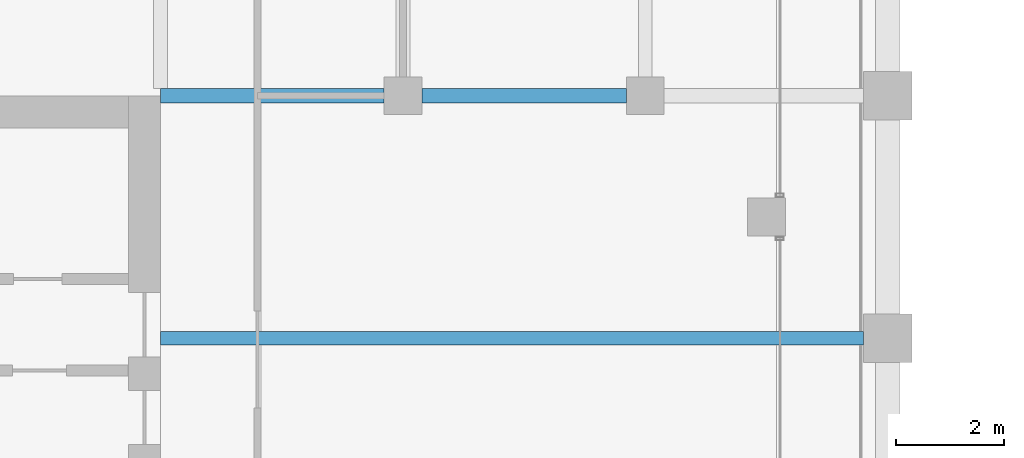
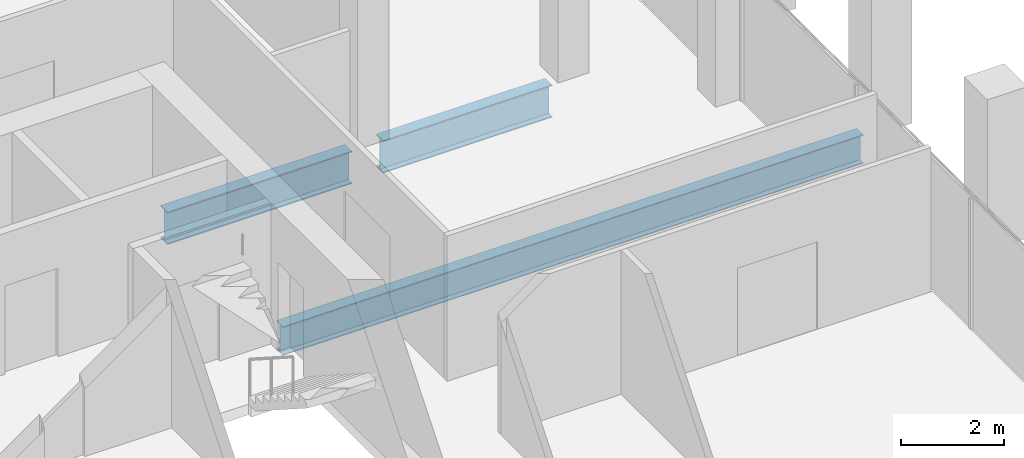
# One storey, part 18 of 40: 3 beams.
"""IFC4 building model written with IfcOpenShell, lengths in metres."""

from ifc_helpers import new_model, si_unit, direction, frame, origin, origin_2d, place, context, subcontext, project, spatial, i_section, extrude, material, material_profile, profile_set, type_object, element, save


model = new_model("IFC4")

# Units and contexts
model_context = context("Model", 3, precision=1e-05, world=origin(), true_north=direction((0.0, 1.0)))
body_context = subcontext(model_context, "Body", "Model", "MODEL_VIEW")
ifc_project = project(units=[si_unit("LENGTHUNIT", "METRE"), si_unit("AREAUNIT", "SQUARE_METRE"), si_unit("VOLUMEUNIT", "CUBIC_METRE"), si_unit("PLANEANGLEUNIT", "RADIAN"), si_unit("MASSUNIT", "GRAM", prefix="KILO")], contexts=[model_context])

# Site, building, storey
site_placement = place(None, origin())
site = spatial("IfcSite", under=ifc_project, at=site_placement, CompositionType="ELEMENT")
building_placement = place(site_placement, origin())
building = spatial("IfcBuilding", under=site, at=building_placement, Name="Altepetl Exchange Towers", CompositionType="ELEMENT")
storey_placement = place(building_placement, frame((0.0, 0.0, 154.60009765625)))
storey = spatial("IfcBuildingStorey", under=building, at=storey_placement, Name="L38", CompositionType="ELEMENT", Elevation=154.60009765625)

# Beams
ifc_material = material(Name="Steel S355", Category="steel")
ifc_material_profile_1 = material_profile(ifc_material, i_section(OverallWidth=0.25390625, OverallDepth=0.68408203125, WebThickness=0.012451171875, FlangeThickness=0.018798828125, at=origin_2d()), Name="W27X94")
ifc_profile_set_1 = profile_set([ifc_material_profile_1], Name="Steel S355")
beam_type_1 = type_object("IfcBeamType", Name="Floor beam W27X94", PredefinedType="BEAM", material=ifc_profile_set_1)
beam_1_placement = place(storey_placement, frame((58.5, 54.0, -0.4921875), z_axis=(1.0, 0.0, 0.0), x_axis=(0.0, 1.0, 0.0)))
element("IfcBeam", 1, at=beam_1_placement, inside=storey, type_object=beam_type_1, Name="bm:A:L38:011", PredefinedType="BEAM", context=body_context, shape_type="SweptSolid", body=[
    extrude(i_section(OverallWidth=0.25390625, OverallDepth=0.68408203125, WebThickness=0.012451171875, FlangeThickness=0.018798828125, at=origin_2d()), origin(), (0.0, 0.0, 1.0), 13.050048828125),
])
ifc_material_profile_2 = material_profile(ifc_material, i_section(OverallWidth=0.26806640625, OverallDepth=0.77392578125, WebThickness=0.015380859375, FlangeThickness=0.025390625, at=origin_2d()), Name="W30X132")
ifc_profile_set_2 = profile_set([ifc_material_profile_2], Name="Steel S355")
beam_type_2 = type_object("IfcBeamType", Name="Girder W30X132", PredefinedType="BEAM", material=ifc_profile_set_2)
beam_2_placement = place(storey_placement, frame((58.5, 58.5, -0.537109375), z_axis=(1.0, 0.0, 0.0), x_axis=(0.0, 1.0, 0.0)))
element("IfcBeam", 2, at=beam_2_placement, inside=storey, type_object=beam_type_2, Name="gd:A:L38:000", PredefinedType="BEAM", context=body_context, shape_type="SweptSolid", body=[
    extrude(i_section(OverallWidth=0.26806640625, OverallDepth=0.77392578125, WebThickness=0.015380859375, FlangeThickness=0.025390625, at=origin_2d()), origin(), (0.0, 0.0, 1.0), 4.14990234375),
])
beam_3_placement = place(storey_placement, frame((63.35009765625, 58.5, -0.537109375), z_axis=(1.0, 0.0, 0.0), x_axis=(0.0, 1.0, 0.0)))
element("IfcBeam", 3, at=beam_3_placement, inside=storey, type_object=beam_type_2, Name="gd:A:L38:001", PredefinedType="BEAM", context=body_context, shape_type="SweptSolid", body=[
    extrude(i_section(OverallWidth=0.26806640625, OverallDepth=0.77392578125, WebThickness=0.015380859375, FlangeThickness=0.025390625, at=origin_2d()), origin(), (0.0, 0.0, 1.0), 3.7998046875),
])

save(model, "model.ifc")
